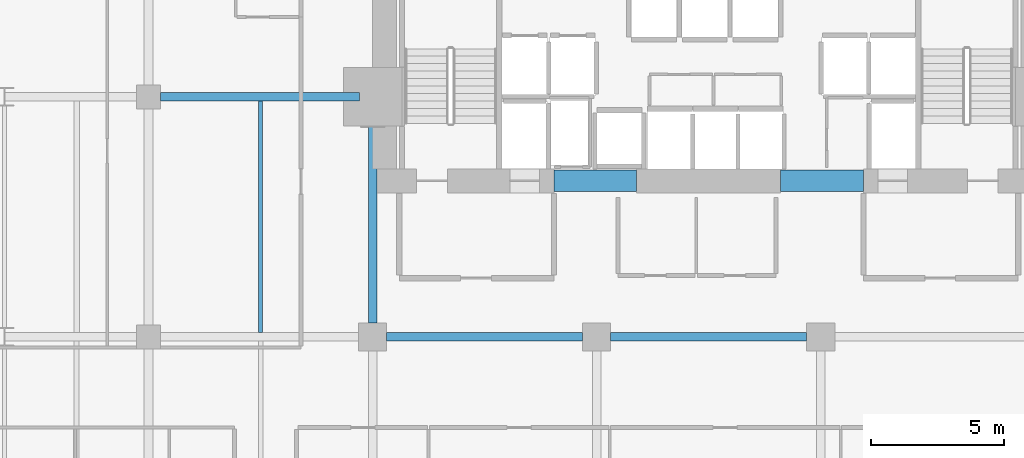
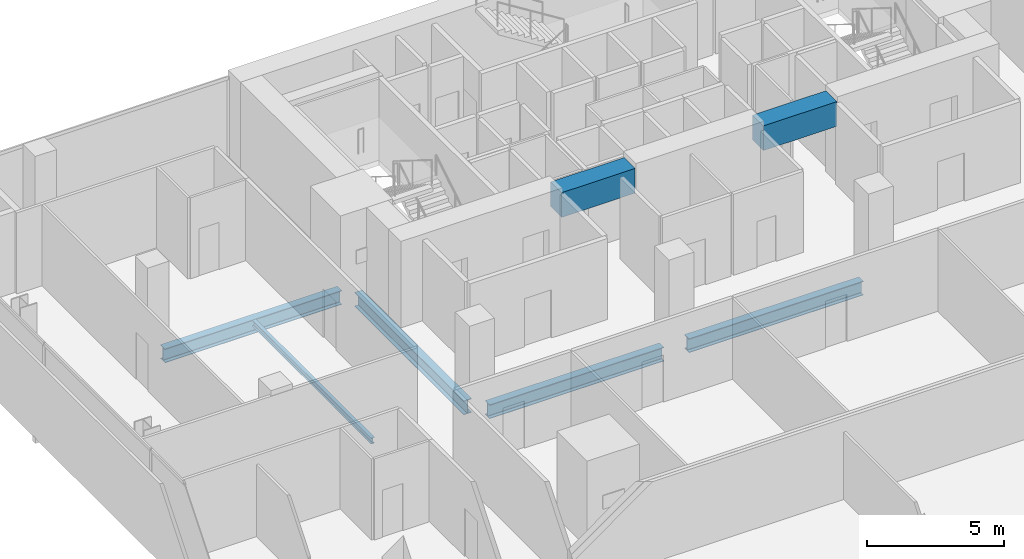
# One storey, part 24 of 40: 7 beams.
"""IFC4 building model written with IfcOpenShell, lengths in metres."""

from ifc_helpers import new_model, si_unit, direction, frame, origin, origin_2d, place, context, subcontext, project, spatial, rectangle, i_section, extrude, material, material_profile, profile_set, type_object, element, save


model = new_model("IFC4")

# Units and contexts
model_context = context("Model", 3, precision=1e-05, world=origin(), true_north=direction((0.0, 1.0)))
body_context = subcontext(model_context, "Body", "Model", "MODEL_VIEW")
ifc_project = project(units=[si_unit("LENGTHUNIT", "METRE"), si_unit("AREAUNIT", "SQUARE_METRE"), si_unit("VOLUMEUNIT", "CUBIC_METRE"), si_unit("PLANEANGLEUNIT", "RADIAN"), si_unit("MASSUNIT", "GRAM", prefix="KILO")], contexts=[model_context])

# Site, building, storey
site_placement = place(None, origin())
site = spatial("IfcSite", under=ifc_project, at=site_placement, CompositionType="ELEMENT")
building_placement = place(site_placement, origin())
building = spatial("IfcBuilding", under=site, at=building_placement, Name="Maruvema Waterfront Hotel and Observation Tower", CompositionType="ELEMENT")
storey_placement = place(building_placement, frame((0.0, 0.0, 73.14990234375)))
storey = spatial("IfcBuildingStorey", under=building, at=storey_placement, Name="L17", CompositionType="ELEMENT", Elevation=73.14990234375)

# Beams
ifc_material_1 = material(Name="Concrete C60/75", Category="concrete")
ifc_material_profile_1 = material_profile(ifc_material_1, rectangle(XDim=0.800048828125, YDim=1.10009765625, at=origin_2d()), Name="CB800x1100")
ifc_profile_set_1 = profile_set([ifc_material_profile_1], Name="Concrete C60/75")
beam_type_1 = type_object("IfcBeamType", Name="Core Coupling Lintel Beam CB800x1100", PredefinedType="LINTEL", material=ifc_profile_set_1)
for number, where, z_axis, x_axis, name in (
    (1, (32.0, 41.85009765625, 3.06005859375), (1.0, 0.0, 0.0), (0.0, 1.0, 0.0), "L17 Core Coupling Lintel Beam West"),
    (2, (40.5, 41.85009765625, 3.06005859375), (1.0, 0.0, 0.0), (0.0, 1.0, 0.0), "L17 Core Coupling Lintel Beam East"),
):
    element("IfcBeam", number, at=place(storey_placement, frame(where, z_axis=z_axis, x_axis=x_axis)), inside=storey, type_object=beam_type_1, Name=name, PredefinedType="LINTEL", context=body_context, shape_type="SweptSolid", body=[
        extrude(rectangle(XDim=0.800048828125, YDim=1.10009765625, at=origin_2d()), origin(), (0.0, 0.0, 1.0), 3.10009765625),
    ])
ifc_material_2 = material(Name="Steel ASTM A572 Grade 50", Category="steel")
ifc_material_profile_2 = material_profile(ifc_material_2, i_section(OverallWidth=0.326904296875, OverallDepth=0.6220703125, WebThickness=0.015380859375, FlangeThickness=0.0244140625, FilletRadius=0.01806640625, at=origin_2d()), Name="W610x195.0")
ifc_profile_set_2 = profile_set([ifc_material_profile_2], Name="Steel ASTM A572 Grade 50")
beam_type_2 = type_object("IfcBeamType", Name="Primary Floor Girder W610x195.0", PredefinedType="BEAM", material=ifc_profile_set_2)
beam_1_placement = place(storey_placement, frame((25.72509765625, 36.0, -0.55078125), z_axis=(1.0, 0.0, 0.0), x_axis=(0.0, 1.0, 0.0)))
element("IfcBeam", 3, at=beam_1_placement, inside=storey, type_object=beam_type_2, Name="L17 Floor Girder EW-27", PredefinedType="BEAM", context=body_context, shape_type="SweptSolid", body=[
    extrude(i_section(OverallWidth=0.326904296875, OverallDepth=0.6220703125, WebThickness=0.015380859375, FlangeThickness=0.0244140625, FilletRadius=0.01806640625, at=origin_2d()), origin(), (0.0, 0.0, 1.0), 7.349853515625),
])
beam_2_placement = place(storey_placement, frame((34.125, 36.0, -0.55078125), z_axis=(1.0, 0.0, 0.0), x_axis=(0.0, 1.0, 0.0)))
element("IfcBeam", 4, at=beam_2_placement, inside=storey, type_object=beam_type_2, Name="L17 Floor Girder EW-28", PredefinedType="BEAM", context=body_context, shape_type="SweptSolid", body=[
    extrude(i_section(OverallWidth=0.326904296875, OverallDepth=0.6220703125, WebThickness=0.015380859375, FlangeThickness=0.0244140625, FilletRadius=0.01806640625, at=origin_2d()), origin(), (0.0, 0.0, 1.0), 7.35009765625),
])
beam_3_placement = place(storey_placement, frame((17.25, 45.0, -0.55078125), z_axis=(1.0, 0.0, 0.0), x_axis=(0.0, 1.0, 0.0)))
element("IfcBeam", 5, at=beam_3_placement, inside=storey, type_object=beam_type_2, Name="L17 Floor Girder EW-33", PredefinedType="BEAM", context=body_context, shape_type="SweptSolid", body=[
    extrude(i_section(OverallWidth=0.326904296875, OverallDepth=0.6220703125, WebThickness=0.015380859375, FlangeThickness=0.0244140625, FilletRadius=0.01806640625, at=origin_2d()), origin(), (0.0, 0.0, 1.0), 7.449951171875),
])
beam_4_placement = place(storey_placement, frame((25.199951171875, 36.52490234375, -0.55078125), z_axis=(0.0, 1.0, 0.0), x_axis=(-1.0, 0.0, 0.0)))
element("IfcBeam", 6, at=beam_4_placement, inside=storey, type_object=beam_type_2, Name="L17 Floor Girder NS-15", PredefinedType="BEAM", context=body_context, shape_type="SweptSolid", body=[
    extrude(i_section(OverallWidth=0.326904296875, OverallDepth=0.6220703125, WebThickness=0.015380859375, FlangeThickness=0.0244140625, FilletRadius=0.01806640625, at=origin_2d()), origin(), (0.0, 0.0, 1.0), 7.97509765625),
])
ifc_material_3 = material(Name="Steel ASTM A572 Grade 50", Category="steel")
ifc_material_profile_3 = material_profile(ifc_material_3, i_section(OverallWidth=0.14794921875, OverallDepth=0.26611328125, WebThickness=0.007568359375, FlangeThickness=0.012939453125, FilletRadius=0.012939453125, at=origin_2d()), Name="W250x44.8")
ifc_profile_set_3 = profile_set([ifc_material_profile_3], Name="Steel ASTM A572 Grade 50")
beam_type_3 = type_object("IfcBeamType", Name="Secondary Floor Joist W250x44.8", PredefinedType="JOIST", material=ifc_profile_set_3)
beam_5_placement = place(storey_placement, frame((21.0, 36.16357421875, -0.372802734375), z_axis=(0.0, 1.0, 0.0), x_axis=(-1.0, 0.0, 0.0)))
element("IfcBeam", 7, at=beam_5_placement, inside=storey, type_object=beam_type_3, Name="L17 Secondary Floor Joist JS-09", PredefinedType="JOIST", context=body_context, shape_type="SweptSolid", body=[
    extrude(i_section(OverallWidth=0.14794921875, OverallDepth=0.26611328125, WebThickness=0.007568359375, FlangeThickness=0.012939453125, FilletRadius=0.012939453125, at=origin_2d()), origin(), (0.0, 0.0, 1.0), 8.6728515625),
])

save(model, "model.ifc")
